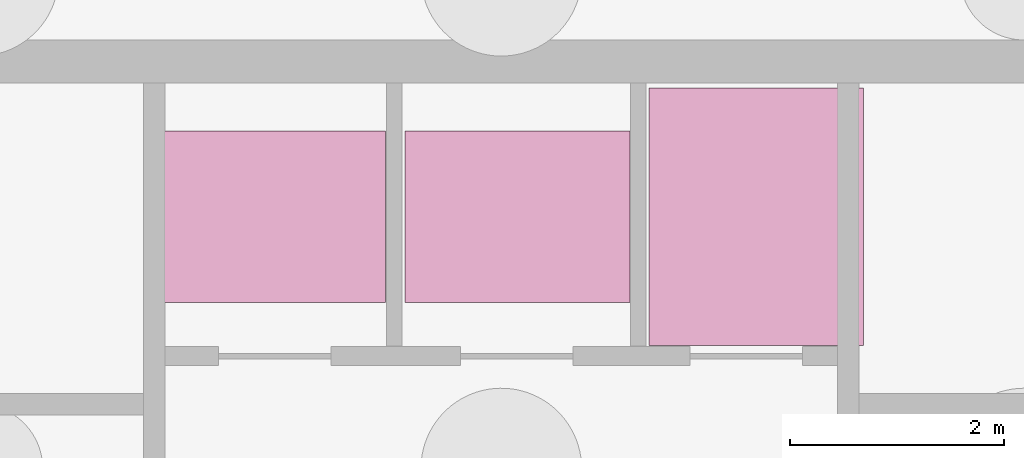
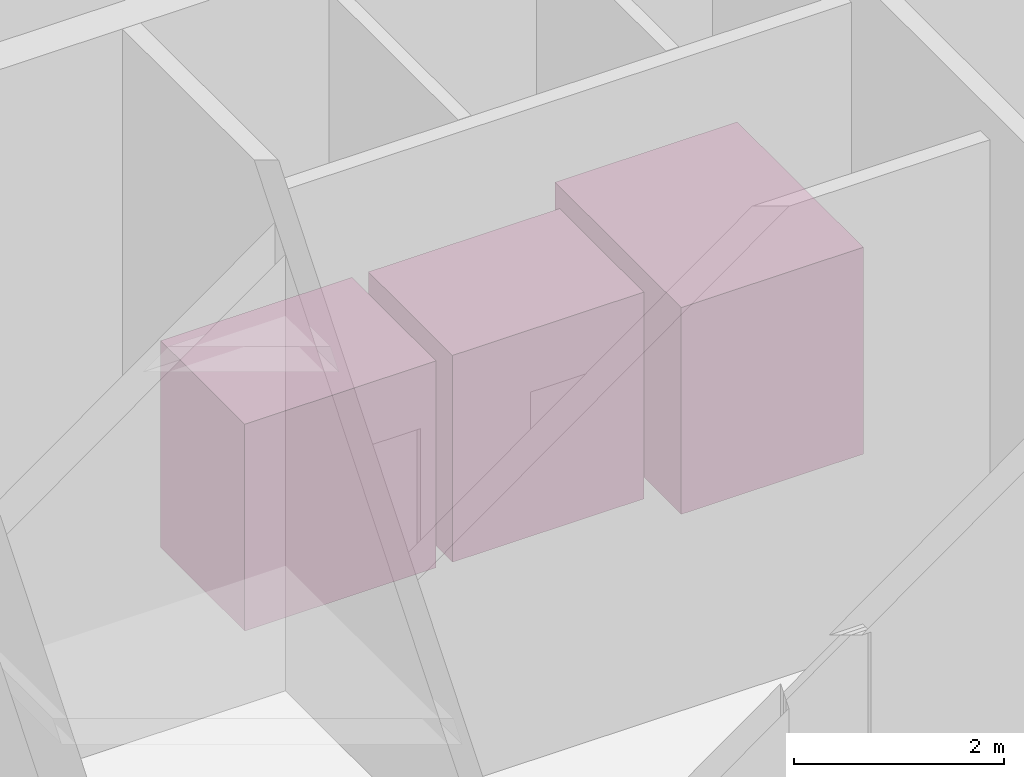
# One storey, part 15 of 15: 3 transport elements.
"""IFC4 building model written with IfcOpenShell, lengths in metres."""

import ifcopenshell
import ifcopenshell.guid

model = None  # the IFC model being written
_history = None  # IfcOwnerHistory: only IFC2X3 demands one
_inside = {}  # id of a spatial element -> (the spatial element, [elements in it])
_under = {}  # id of a project, library or spatial element -> (it, [spatial elements below it])
_declared = {}  # id of a project -> (the project, [libraries it declares])
_typed = {}  # id of a type object -> (the type object, [elements of that type])
_made_of = {}  # id of a material, layer set ... -> (it, [elements and type objects made of it])


def new_model(schema):
    """Start an empty IFC model of exactly this schema.

    Asked for "IFC4X3", IfcOpenShell would pick the latest addendum, in which some entities
    have other attributes; the version numbers below select the first issue.
    IFC2X3 requires an IfcOwnerHistory on every rooted entity: one is made here for all.
    """
    global model, _history
    if schema == "IFC4X3":
        model = ifcopenshell.file(schema_version=(4, 3, 0, 0))
    else:
        model = ifcopenshell.file(schema=schema)
    _inside.clear()
    _under.clear()
    _declared.clear()
    _typed.clear()
    _made_of.clear()
    _history = None
    if model.schema == "IFC2X3":
        org = make("IfcOrganization", Name="unknown")
        user = make(
            "IfcPersonAndOrganization",
            ThePerson=make("IfcPerson", FamilyName="unknown"),
            TheOrganization=org,
        )
        app = make(
            "IfcApplication",
            ApplicationDeveloper=org,
            Version="unknown",
            ApplicationFullName="unknown",
            ApplicationIdentifier="unknown",
        )
        _history = make(
            "IfcOwnerHistory",
            OwningUser=user,
            OwningApplication=app,
            ChangeAction="ADDED",
            CreationDate=0,
        )
    return model


def make(cls, **values):
    """One entity of the class cls with the attributes given. An attribute that is None is left unset."""
    return model.create_entity(
        cls, **{name: value for name, value in values.items() if value is not None}
    )


def rooted(cls, **values):
    """An entity with a GlobalId (a new one), such as an element, a storey or a relation."""
    return make(cls, GlobalId=ifcopenshell.guid.new(), OwnerHistory=_history, **values)


def si_unit(unit_type, name, prefix=None):
    """IfcSIUnit, for example si_unit("LENGTHUNIT", "METRE", prefix="MILLI")."""
    return make("IfcSIUnit", UnitType=unit_type, Prefix=prefix, Name=name)


def assignment(units):
    """IfcUnitAssignment: the units of a project."""
    return None if units is None else make("IfcUnitAssignment", Units=units)


def point(xyz):
    """IfcCartesianPoint."""
    return None if xyz is None else make("IfcCartesianPoint", Coordinates=xyz)


def direction(xyz):
    """IfcDirection."""
    return None if xyz is None else make("IfcDirection", DirectionRatios=xyz)


def frame(location, z_axis=None, x_axis=None):
    """IfcAxis2Placement3D, a coordinate frame: its origin and axes. An axis left out is left unset."""
    return make(
        "IfcAxis2Placement3D",
        Location=point(location),
        Axis=direction(z_axis),
        RefDirection=direction(x_axis),
    )


def frame_2d(location, x_axis=None):
    """IfcAxis2Placement2D, a coordinate frame in the plane: its origin and x axis."""
    return make(
        "IfcAxis2Placement2D", Location=point(location), RefDirection=direction(x_axis)
    )


def origin():
    """The frame at (0, 0, 0) with its axes left unset."""
    return frame((0.0, 0.0, 0.0))


def origin_2d():
    """The frame at (0, 0) in the plane with its x axis left unset."""
    return frame_2d((0.0, 0.0))


def place(relative_to, where):
    """IfcLocalPlacement: puts the frame where relative to a parent placement (None: the world)."""
    return make(
        "IfcLocalPlacement", PlacementRelTo=relative_to, RelativePlacement=where
    )


def context(
    kind, dimensions, precision=None, world=None, true_north=None, identifier=None
):
    """IfcGeometricRepresentationContext, for example the 3D "Model" context."""
    return make(
        "IfcGeometricRepresentationContext",
        ContextIdentifier=identifier,
        ContextType=kind,
        CoordinateSpaceDimension=dimensions,
        Precision=precision,
        WorldCoordinateSystem=world,
        TrueNorth=true_north,
    )


def subcontext(parent, identifier, kind, view, scale=None):
    """IfcGeometricRepresentationSubContext, for example "Body" below "Model"."""
    return make(
        "IfcGeometricRepresentationSubContext",
        ContextIdentifier=identifier,
        ContextType=kind,
        ParentContext=parent,
        TargetScale=scale,
        TargetView=view,
    )


def project(units=None, contexts=None):
    """IfcProject with its units and contexts."""
    return rooted(
        "IfcProject",
        Name="project",
        RepresentationContexts=contexts,
        UnitsInContext=assignment(units),
    )


def spatial(cls, under=None, at=None, **own):
    """A site, building, storey or space (cls), placed at a placement, below another one or the project."""
    s = rooted(cls, ObjectPlacement=at, **own)
    if under is not None:
        _under.setdefault(under.id(), (under, []))[1].append(s)
    return s


def profile(cls, at=None, kind="AREA", **sizes):
    """A parametric profile (cls). Its sizes go by their IFC names, for example OverallWidth=200.0."""
    return make(cls, ProfileType=kind, Position=at, **sizes)


def rectangle(**sizes):
    """IfcRectangleProfileDef."""
    return profile("IfcRectangleProfileDef", **sizes)


def extrude(swept, where, along, depth):
    """IfcExtrudedAreaSolid: the profile swept, set in the frame where, extruded along a direction by depth."""
    return make(
        "IfcExtrudedAreaSolid",
        SweptArea=swept,
        Position=where,
        ExtrudedDirection=direction(along),
        Depth=depth,
    )


def shape(context_of_items, identifier, shape_type, items):
    """IfcShapeRepresentation: the items that make up one representation, for example the "Body"."""
    return make(
        "IfcShapeRepresentation",
        ContextOfItems=context_of_items,
        RepresentationIdentifier=identifier,
        RepresentationType=shape_type,
        Items=items,
    )


def source(mapping_origin, context_of_items, identifier, shape_type, items):
    """IfcRepresentationMap: a shape defined once, which mapped items show again and again."""
    return make(
        "IfcRepresentationMap",
        MappingOrigin=mapping_origin,
        MappedRepresentation=shape(context_of_items, identifier, shape_type, items),
    )


def transform(
    local_origin,
    x_axis=None,
    y_axis=None,
    z_axis=None,
    scale=None,
    scale2=None,
    scale3=None,
    uniform=True,
):
    """IfcCartesianTransformationOperator3D, or its non-uniform kind. x_axis, y_axis, z_axis: its Axis1, 2, 3."""
    if uniform:
        return make(
            "IfcCartesianTransformationOperator3D",
            Axis1=direction(x_axis),
            Axis2=direction(y_axis),
            LocalOrigin=point(local_origin),
            Scale=scale,
            Axis3=direction(z_axis),
        )
    return make(
        "IfcCartesianTransformationOperator3DnonUniform",
        Axis1=direction(x_axis),
        Axis2=direction(y_axis),
        LocalOrigin=point(local_origin),
        Scale=scale,
        Axis3=direction(z_axis),
        Scale2=scale2,
        Scale3=scale3,
    )


def mapped(mapping_source, mapping_target):
    """IfcMappedItem: shows the shape of a source again, moved by a transform."""
    return make(
        "IfcMappedItem", MappingSource=mapping_source, MappingTarget=mapping_target
    )


def material(Name=None, Category=None):
    """IfcMaterial."""
    return make("IfcMaterial", Name=Name, Category=Category)


def made_of(thing, what):
    """Note that an element or type object is made of a material, layer set ...; save() writes the relation."""
    if what is not None:
        _made_of.setdefault(what.id(), (what, []))[1].append(thing)
    return thing


def type_object(cls, material=None, **own):
    """A type object (cls), such as IfcWallType, which elements share."""
    return made_of(rooted(cls, **own), material)


def type_shapes(of_type, sources):
    """Give a type object the sources (RepresentationMaps) that its elements show as mapped items."""
    of_type.RepresentationMaps = sources


def element(
    cls,
    number,
    at=None,
    inside=None,
    cuts=None,
    type_object=None,
    material=None,
    context=None,
    identifier="Body",
    shape_type=None,
    held_by="IfcProductDefinitionShape",
    body=None,
    shapes=None,
    **own,
):
    """One element of the class cls, such as IfcWall. Its Tag is "e" and its number.

    at: its placement. inside: the storey or other place that contains it. cuts: it is an
    opening in that element (IfcRelVoidsElement). A single representation is given by context,
    identifier, shape_type and body (its items); several are given by shapes. held_by: the class
    of the entity that holds the representations. save() writes the other relations.
    """
    e = rooted(cls, Tag="e%d" % number, ObjectPlacement=at, **own)
    if body is not None:
        shapes = [shape(context, identifier, shape_type, body)]
    if shapes is not None:
        e.Representation = make(held_by, Representations=shapes)
    if inside is not None:
        _inside.setdefault(inside.id(), (inside, []))[1].append(e)
    if cuts is not None:
        rooted(
            "IfcRelVoidsElement", RelatingBuildingElement=cuts, RelatedOpeningElement=e
        )
    if type_object is not None:
        _typed.setdefault(type_object.id(), (type_object, []))[1].append(e)
    return made_of(e, material)


def aggregate(whole, parts):
    """IfcRelAggregates: a whole, such as a stair, and the parts it consists of."""
    return rooted("IfcRelAggregates", RelatingObject=whole, RelatedObjects=parts)


def save(model, path):
    """Write the relations noted so far, then the file.

    IfcRelAggregates (storeys below a building ...), IfcRelContainedInSpatialStructure (elements
    in a storey), IfcRelDefinesByType, IfcRelAssociatesMaterial and IfcRelDeclares: one each for
    every whole, place, type object, material and project.
    """
    for whole, parts in _under.values():
        aggregate(whole, parts)
    for where, things in _inside.values():
        rooted(
            "IfcRelContainedInSpatialStructure",
            RelatedElements=things,
            RelatingStructure=where,
        )
    for kind, things in _typed.values():
        rooted("IfcRelDefinesByType", RelatedObjects=things, RelatingType=kind)
    for what, things in _made_of.values():
        rooted("IfcRelAssociatesMaterial", RelatedObjects=things, RelatingMaterial=what)
    for by, libraries in _declared.values():
        rooted("IfcRelDeclares", RelatingContext=by, RelatedDefinitions=libraries)
    model.write(path)


model = new_model("IFC4")

# Units and contexts
model_context = context("Model", 3, precision=1e-05, world=origin(), true_north=direction((0.0, 1.0)))
body_context = subcontext(model_context, "Body", "Model", "MODEL_VIEW")
ifc_project = project(units=[si_unit("LENGTHUNIT", "METRE"), si_unit("AREAUNIT", "SQUARE_METRE"), si_unit("VOLUMEUNIT", "CUBIC_METRE"), si_unit("PLANEANGLEUNIT", "RADIAN"), si_unit("MASSUNIT", "GRAM", prefix="KILO")], contexts=[model_context])

# Site, building, storey
site_placement = place(None, origin())
site = spatial("IfcSite", under=ifc_project, at=site_placement, CompositionType="ELEMENT")
building_placement = place(site_placement, origin())
building = spatial("IfcBuilding", under=site, at=building_placement, Name="Talar Marvaseh", CompositionType="ELEMENT")
storey_placement = place(building_placement, frame((0.0, 0.0, -11.60009765625)))
storey = spatial("IfcBuildingStorey", under=building, at=storey_placement, Name="B02", CompositionType="ELEMENT", Elevation=-11.60009765625)

# Transport elements
ifc_material = material(Name="Stainless Steel Grade 316", Category="steel")
transport_element_type_1 = type_object("IfcTransportElementType", Name="Firefighting and Stretcher Emergency Elevator 1800kg", PredefinedType="ELEVATOR", material=ifc_material)
shared_shape_1 = source(origin(), body_context, "Body", "SweptSolid", [
    extrude(rectangle(XDim=2.10009765625, YDim=1.60009765625, at=origin_2d()), origin(), (0.0, 0.0, 1.0), 2.39990234375),
])
type_shapes(transport_element_type_1, [shared_shape_1])
for number, where, z_axis, x_axis, name in (
    (1, (23.8701171875, 34.949951171875, 0.000244140625), (0.0, 0.0, 1.0), (1.0, 0.0, 0.0), "FFL-1 Elevator Car"),
    (2, (26.14990234375, 34.949951171875, 0.000244140625), (0.0, 0.0, 1.0), (1.0, 0.0, 0.0), "FFL-2 Elevator Car"),
):
    element("IfcTransportElement", number, at=place(storey_placement, frame(where, z_axis=z_axis, x_axis=x_axis)), inside=storey, type_object=transport_element_type_1, Name=name, PredefinedType="ELEVATOR", context=body_context, shape_type="MappedRepresentation", body=[
        mapped(shared_shape_1, transform((0.0, 0.0, 0.0), x_axis=(1.0, 0.0, 0.0), y_axis=(0.0, 1.0, 0.0), z_axis=(0.0, 0.0, 1.0), scale=1.0)),
    ])
transport_element_type_2 = type_object("IfcTransportElementType", Name="Heavy Goods and Service Elevator 2500kg", PredefinedType="ELEVATOR", material=ifc_material)
shared_shape_2 = source(origin(), body_context, "Body", "SweptSolid", [
    extrude(rectangle(XDim=2.0, YDim=2.39990234375, at=origin_2d()), origin(), (0.0, 0.0, 1.0), 2.39990234375),
])
type_shapes(transport_element_type_2, [shared_shape_2])
transport_element_placement = place(storey_placement, frame((28.3798828125, 34.949951171875, 0.000244140625), z_axis=(0.0, 0.0, 1.0), x_axis=(1.0, 0.0, 0.0)))
element("IfcTransportElement", 3, at=transport_element_placement, inside=storey, type_object=transport_element_type_2, Name="SVL-1 Elevator Car", PredefinedType="ELEVATOR", context=body_context, shape_type="MappedRepresentation", body=[
    mapped(shared_shape_2, transform((0.0, 0.0, 0.0), x_axis=(1.0, 0.0, 0.0), y_axis=(0.0, 1.0, 0.0), z_axis=(0.0, 0.0, 1.0), scale=1.0)),
])

save(model, "model.ifc")
